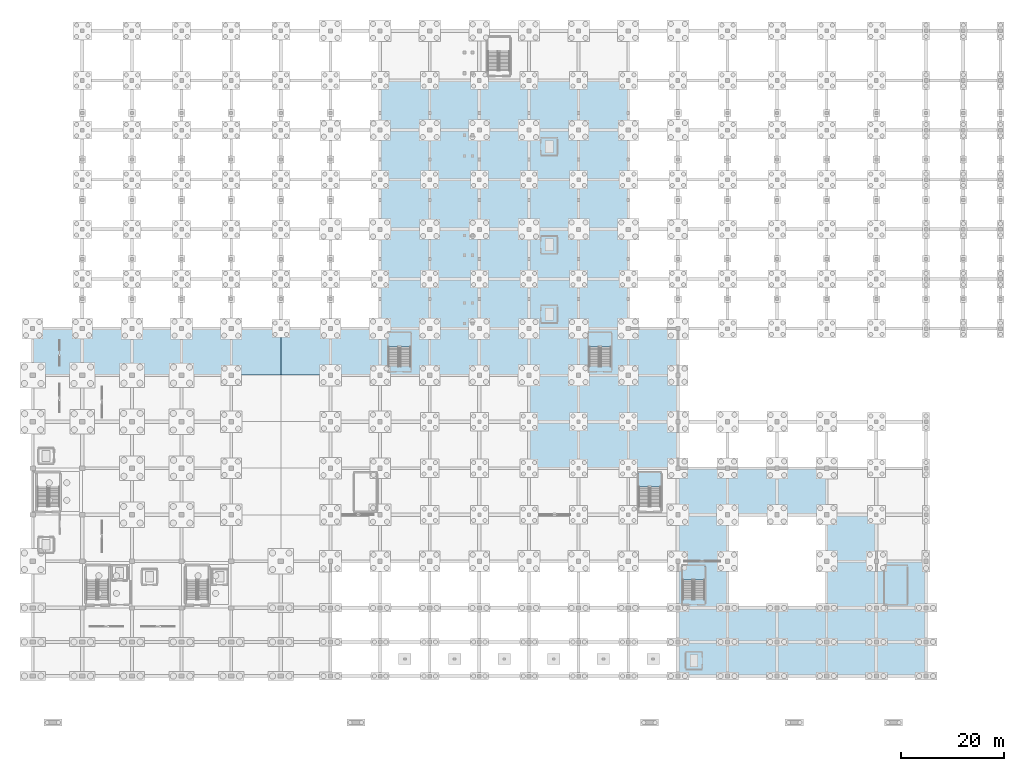
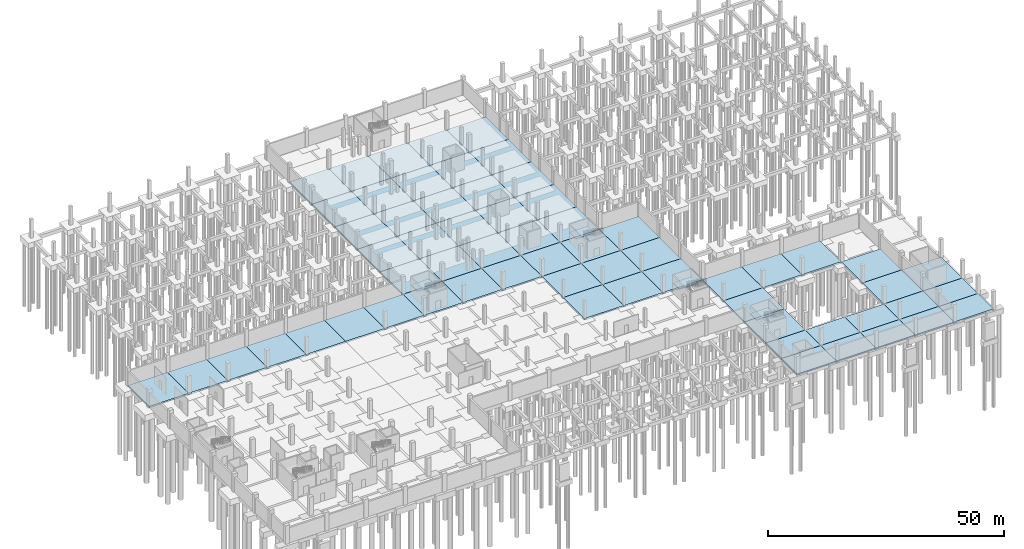
# One storey, part 23 of 39: 66 slabs, 4 elements without a shape of their own.
"""IFC4 building model written with IfcOpenShell, lengths in metres."""

from ifc_helpers import new_model, si_unit, direction, frame, origin, place, context, subcontext, project, spatial, polyline, outline, extrude, material, layer, layer_set, type_object, element, aggregate, save


model = new_model("IFC4")

# Units and contexts
model_context = context("Model", 3, precision=1e-05, world=origin(), true_north=direction((0.0, 1.0)))
body_context = subcontext(model_context, "Body", "Model", "MODEL_VIEW")
ifc_project = project(units=[si_unit("LENGTHUNIT", "METRE"), si_unit("AREAUNIT", "SQUARE_METRE"), si_unit("VOLUMEUNIT", "CUBIC_METRE"), si_unit("PLANEANGLEUNIT", "RADIAN"), si_unit("MASSUNIT", "GRAM", prefix="KILO")], contexts=[model_context])

# Site, building, storey
site_placement = place(None, origin())
site = spatial("IfcSite", under=ifc_project, at=site_placement, CompositionType="ELEMENT")
building_placement = place(site_placement, origin())
building = spatial("IfcBuilding", under=site, at=building_placement, Name="Zarnetskaya Central Station", CompositionType="ELEMENT")
storey_placement = place(building_placement, frame((0.0, 0.0, -4.800048828125)))
storey = spatial("IfcBuildingStorey", under=building, at=storey_placement, Name="B1", CompositionType="ELEMENT", Elevation=-4.800048828125)

# Slabs
ifc_material = material(Name="Concrete C30/37", Category="concrete")
ifc_layer_1 = layer(ifc_material, 0.39990234375, Name="Concrete C30/37", Category="concrete")
ifc_layer_set_1 = layer_set([ifc_layer_1], Name="Concrete C30/37")
slab_type_1 = type_object("IfcSlabType", Name="SLAB-B1-400", PredefinedType="BASESLAB", material=ifc_layer_set_1)
slab_1_placement = place(storey_placement, frame((0.0, 0.0, -0.39990234375)))
element("IfcSlab", 1, at=slab_1_placement, inside=storey, type_object=slab_type_1, Name="B1 slab A-B/8-9", PredefinedType="BASESLAB", context=body_context, shape_type="SweptSolid", body=[
    extrude(outline(polyline([(0.0, 58.199951171875), (9.60009765625, 58.199951171875), (9.60009765625, 67.199951171875), (0.0, 67.199951171875), (0.0, 58.199951171875)])), origin(), (0.0, 0.0, 1.0), 0.39990234375),
])
slab_2_placement = place(storey_placement, frame((0.0, 0.0, -0.39990234375)))
element("IfcSlab", 2, at=slab_2_placement, inside=storey, type_object=slab_type_1, Name="B1 slab B-C/8-9", PredefinedType="BASESLAB", context=body_context, shape_type="SweptSolid", body=[
    extrude(outline(polyline([(9.60009765625, 58.199951171875), (19.199951171875, 58.199951171875), (19.199951171875, 67.199951171875), (9.60009765625, 67.199951171875), (9.60009765625, 58.199951171875)])), origin(), (0.0, 0.0, 1.0), 0.39990234375),
])
slab_3_placement = place(storey_placement, frame((0.0, 0.0, -0.39990234375)))
element("IfcSlab", 3, at=slab_3_placement, inside=storey, type_object=slab_type_1, Name="B1 slab C-D/8-9", PredefinedType="BASESLAB", context=body_context, shape_type="SweptSolid", body=[
    extrude(outline(polyline([(19.199951171875, 58.199951171875), (28.800048828125, 58.199951171875), (28.800048828125, 67.199951171875), (19.199951171875, 67.199951171875), (19.199951171875, 58.199951171875)])), origin(), (0.0, 0.0, 1.0), 0.39990234375),
])
slab_4_placement = place(storey_placement, frame((0.0, 0.0, -0.39990234375)))
element("IfcSlab", 4, at=slab_4_placement, inside=storey, type_object=slab_type_1, Name="B1 slab D-E/8-9", PredefinedType="BASESLAB", context=body_context, shape_type="SweptSolid", body=[
    extrude(outline(polyline([(28.800048828125, 58.199951171875), (38.39990234375, 58.199951171875), (38.39990234375, 67.199951171875), (28.800048828125, 67.199951171875), (28.800048828125, 58.199951171875)])), origin(), (0.0, 0.0, 1.0), 0.39990234375),
])
slab_5_placement = place(storey_placement, frame((0.0, 0.0, -0.39990234375)))
element("IfcSlab", 5, at=slab_5_placement, inside=storey, type_object=slab_type_1, Name="B1 slab E-F/8-9", PredefinedType="BASESLAB", context=body_context, shape_type="SweptSolid", body=[
    extrude(outline(polyline([(38.39990234375, 58.199951171875), (48.0, 58.199951171875), (48.0, 67.199951171875), (38.39990234375, 67.199951171875), (38.39990234375, 58.199951171875)])), origin(), (0.0, 0.0, 1.0), 0.39990234375),
])
slab_6_placement = place(storey_placement, frame((0.0, 0.0, -0.39990234375)))
element("IfcSlab", 6, at=slab_6_placement, inside=storey, type_object=slab_type_1, Name="B1 slab F-G/8-9", PredefinedType="BASESLAB", context=body_context, shape_type="SweptSolid", body=[
    extrude(outline(polyline([(48.0, 58.199951171875), (57.60009765625, 58.199951171875), (57.60009765625, 67.199951171875), (48.0, 67.199951171875), (48.0, 58.199951171875)])), origin(), (0.0, 0.0, 1.0), 0.39990234375),
])
slab_7_placement = place(storey_placement, frame((0.0, 0.0, -0.39990234375)))
element("IfcSlab", 7, at=slab_7_placement, inside=storey, type_object=slab_type_1, Name="B1 slab G-H/8-9", PredefinedType="BASESLAB", context=body_context, shape_type="SweptSolid", body=[
    extrude(outline(polyline([(57.60009765625, 58.199951171875), (67.199951171875, 58.199951171875), (67.199951171875, 67.199951171875), (57.60009765625, 67.199951171875), (57.60009765625, 58.199951171875)])), origin(), (0.0, 0.0, 1.0), 0.39990234375),
])
slab_8_placement = place(storey_placement, frame((0.0, 0.0, -0.39990234375)))
element("IfcSlab", 8, at=slab_8_placement, inside=storey, type_object=slab_type_1, Name="B1 slab H-J/8-9", PredefinedType="BASESLAB", context=body_context, shape_type="SweptSolid", body=[
    extrude(outline(polyline([(67.199951171875, 58.199951171875), (76.800048828125, 58.199951171875), (76.800048828125, 67.199951171875), (67.199951171875, 67.199951171875), (67.199951171875, 58.199951171875)])), origin(), (0.0, 0.0, 1.0), 0.39990234375),
])
slab_9_placement = place(storey_placement, frame((0.0, 0.0, -0.39990234375)))
element("IfcSlab", 9, at=slab_9_placement, inside=storey, type_object=slab_type_1, Name="B1 slab J-K/8-9", PredefinedType="BASESLAB", context=body_context, shape_type="SweptSolid", body=[
    extrude(outline(polyline([(76.800048828125, 58.199951171875), (86.39990234375, 58.199951171875), (86.39990234375, 67.199951171875), (76.800048828125, 67.199951171875), (76.800048828125, 58.199951171875)])), origin(), (0.0, 0.0, 1.0), 0.39990234375),
])
slab_10_placement = place(storey_placement, frame((0.0, 0.0, -0.39990234375)))
element("IfcSlab", 10, at=slab_10_placement, inside=storey, type_object=slab_type_1, Name="B1 slab K-L/8-9", PredefinedType="BASESLAB", context=body_context, shape_type="SweptSolid", body=[
    extrude(outline(polyline([(86.39990234375, 58.199951171875), (96.0, 58.199951171875), (96.0, 67.199951171875), (86.39990234375, 67.199951171875), (86.39990234375, 58.199951171875)])), origin(), (0.0, 0.0, 1.0), 0.39990234375),
])
slab_11_placement = place(storey_placement, frame((0.0, 0.0, -0.39990234375)))
element("IfcSlab", 11, at=slab_11_placement, inside=storey, type_object=slab_type_1, Name="B1 slab L-M/6-7", PredefinedType="BASESLAB", context=body_context, shape_type="SweptSolid", body=[
    extrude(outline(polyline([(96.0, 40.199951171875), (105.60009765625, 40.199951171875), (105.60009765625, 49.199951171875), (96.0, 49.199951171875), (96.0, 40.199951171875)])), origin(), (0.0, 0.0, 1.0), 0.39990234375),
])
slab_12_placement = place(storey_placement, frame((0.0, 0.0, -0.39990234375)))
element("IfcSlab", 12, at=slab_12_placement, inside=storey, type_object=slab_type_1, Name="B1 slab L-M/7-8", PredefinedType="BASESLAB", context=body_context, shape_type="SweptSolid", body=[
    extrude(outline(polyline([(96.0, 49.199951171875), (105.60009765625, 49.199951171875), (105.60009765625, 58.199951171875), (96.0, 58.199951171875), (96.0, 49.199951171875)])), origin(), (0.0, 0.0, 1.0), 0.39990234375),
])
slab_13_placement = place(storey_placement, frame((0.0, 0.0, -0.39990234375)))
element("IfcSlab", 13, at=slab_13_placement, inside=storey, type_object=slab_type_1, Name="B1 slab L-M/8-9", PredefinedType="BASESLAB", context=body_context, shape_type="SweptSolid", body=[
    extrude(outline(polyline([(96.0, 58.199951171875), (105.60009765625, 58.199951171875), (105.60009765625, 67.199951171875), (96.0, 67.199951171875), (96.0, 58.199951171875)])), origin(), (0.0, 0.0, 1.0), 0.39990234375),
])
slab_14_placement = place(storey_placement, frame((0.0, 0.0, -0.39990234375)))
element("IfcSlab", 14, at=slab_14_placement, inside=storey, type_object=slab_type_1, Name="B1 slab M-N/6-7", PredefinedType="BASESLAB", context=body_context, shape_type="SweptSolid", body=[
    extrude(outline(polyline([(105.60009765625, 40.199951171875), (115.199951171875, 40.199951171875), (115.199951171875, 49.199951171875), (105.60009765625, 49.199951171875), (105.60009765625, 40.199951171875)])), origin(), (0.0, 0.0, 1.0), 0.39990234375),
])
slab_15_placement = place(storey_placement, frame((0.0, 0.0, -0.39990234375)))
element("IfcSlab", 15, at=slab_15_placement, inside=storey, type_object=slab_type_1, Name="B1 slab M-N/7-8", PredefinedType="BASESLAB", context=body_context, shape_type="SweptSolid", body=[
    extrude(outline(polyline([(105.60009765625, 49.199951171875), (115.199951171875, 49.199951171875), (115.199951171875, 58.199951171875), (105.60009765625, 58.199951171875), (105.60009765625, 49.199951171875)])), origin(), (0.0, 0.0, 1.0), 0.39990234375),
])
slab_16_placement = place(storey_placement, frame((0.0, 0.0, -0.39990234375)))
element("IfcSlab", 16, at=slab_16_placement, inside=storey, type_object=slab_type_1, Name="B1 slab M-N/8-9", PredefinedType="BASESLAB", context=body_context, shape_type="SweptSolid", body=[
    extrude(outline(polyline([(105.60009765625, 58.199951171875), (115.199951171875, 58.199951171875), (115.199951171875, 67.199951171875), (105.60009765625, 67.199951171875), (105.60009765625, 58.199951171875)])), origin(), (0.0, 0.0, 1.0), 0.39990234375),
])
slab_17_placement = place(storey_placement, frame((0.0, 0.0, -0.39990234375)))
element("IfcSlab", 17, at=slab_17_placement, inside=storey, type_object=slab_type_1, Name="B1 slab N-P/6-7", PredefinedType="BASESLAB", context=body_context, shape_type="SweptSolid", body=[
    extrude(outline(polyline([(115.199951171875, 40.199951171875), (124.800048828125, 40.199951171875), (124.800048828125, 49.199951171875), (115.199951171875, 49.199951171875), (115.199951171875, 40.199951171875)])), origin(), (0.0, 0.0, 1.0), 0.39990234375),
])
slab_18_placement = place(storey_placement, frame((0.0, 0.0, -0.39990234375)))
element("IfcSlab", 18, at=slab_18_placement, inside=storey, type_object=slab_type_1, Name="B1 slab N-P/7-8", PredefinedType="BASESLAB", context=body_context, shape_type="SweptSolid", body=[
    extrude(outline(polyline([(115.199951171875, 49.199951171875), (124.800048828125, 49.199951171875), (124.800048828125, 58.199951171875), (115.199951171875, 58.199951171875), (115.199951171875, 49.199951171875)])), origin(), (0.0, 0.0, 1.0), 0.39990234375),
])
slab_19_placement = place(storey_placement, frame((0.0, 0.0, -0.39990234375)))
element("IfcSlab", 19, at=slab_19_placement, inside=storey, type_object=slab_type_1, Name="B1 slab N-P/8-9", PredefinedType="BASESLAB", context=body_context, shape_type="SweptSolid", body=[
    extrude(outline(polyline([(115.199951171875, 58.199951171875), (124.800048828125, 58.199951171875), (124.800048828125, 67.199951171875), (115.199951171875, 67.199951171875), (115.199951171875, 58.199951171875)])), origin(), (0.0, 0.0, 1.0), 0.39990234375),
])
slab_20_placement = place(storey_placement, frame((0.0, 0.0, -0.39990234375)))
element("IfcSlab", 20, at=slab_20_placement, inside=storey, type_object=slab_type_1, Name="B1 slab H-J/9-10", PredefinedType="BASESLAB", context=body_context, shape_type="SweptSolid", body=[
    extrude(outline(polyline([(67.199951171875, 67.199951171875), (76.800048828125, 67.199951171875), (76.800048828125, 76.800048828125), (67.199951171875, 76.800048828125), (67.199951171875, 67.199951171875)])), origin(), (0.0, 0.0, 1.0), 0.39990234375),
])
slab_21_placement = place(storey_placement, frame((0.0, 0.0, -0.39990234375)))
element("IfcSlab", 21, at=slab_21_placement, inside=storey, type_object=slab_type_1, Name="B1 slab H-J/10-11", PredefinedType="BASESLAB", context=body_context, shape_type="SweptSolid", body=[
    extrude(outline(polyline([(67.199951171875, 76.800048828125), (76.800048828125, 76.800048828125), (76.800048828125, 86.39990234375), (67.199951171875, 86.39990234375), (67.199951171875, 76.800048828125)])), origin(), (0.0, 0.0, 1.0), 0.39990234375),
])
slab_22_placement = place(storey_placement, frame((0.0, 0.0, -0.39990234375)))
element("IfcSlab", 22, at=slab_22_placement, inside=storey, type_object=slab_type_1, Name="B1 slab H-J/11-12", PredefinedType="BASESLAB", context=body_context, shape_type="SweptSolid", body=[
    extrude(outline(polyline([(67.199951171875, 86.39990234375), (76.800048828125, 86.39990234375), (76.800048828125, 96.0), (67.199951171875, 96.0), (67.199951171875, 86.39990234375)])), origin(), (0.0, 0.0, 1.0), 0.39990234375),
])
slab_23_placement = place(storey_placement, frame((0.0, 0.0, -0.39990234375)))
element("IfcSlab", 23, at=slab_23_placement, inside=storey, type_object=slab_type_1, Name="B1 slab H-J/12-13", PredefinedType="BASESLAB", context=body_context, shape_type="SweptSolid", body=[
    extrude(outline(polyline([(67.199951171875, 96.0), (76.800048828125, 96.0), (76.800048828125, 105.60009765625), (67.199951171875, 105.60009765625), (67.199951171875, 96.0)])), origin(), (0.0, 0.0, 1.0), 0.39990234375),
])
slab_24_placement = place(storey_placement, frame((0.0, 0.0, -0.39990234375)))
element("IfcSlab", 24, at=slab_24_placement, inside=storey, type_object=slab_type_1, Name="B1 slab H-J/13-14", PredefinedType="BASESLAB", context=body_context, shape_type="SweptSolid", body=[
    extrude(outline(polyline([(67.199951171875, 105.60009765625), (76.800048828125, 105.60009765625), (76.800048828125, 115.199951171875), (67.199951171875, 115.199951171875), (67.199951171875, 105.60009765625)])), origin(), (0.0, 0.0, 1.0), 0.39990234375),
])
slab_25_placement = place(storey_placement, frame((0.0, 0.0, -0.39990234375)))
element("IfcSlab", 25, at=slab_25_placement, inside=storey, type_object=slab_type_1, Name="B1 slab J-K/9-10", PredefinedType="BASESLAB", context=body_context, shape_type="SweptSolid", body=[
    extrude(outline(polyline([(76.800048828125, 67.199951171875), (86.39990234375, 67.199951171875), (86.39990234375, 76.800048828125), (76.800048828125, 76.800048828125), (76.800048828125, 67.199951171875)])), origin(), (0.0, 0.0, 1.0), 0.39990234375),
])
slab_26_placement = place(storey_placement, frame((0.0, 0.0, -0.39990234375)))
element("IfcSlab", 26, at=slab_26_placement, inside=storey, type_object=slab_type_1, Name="B1 slab J-K/10-11", PredefinedType="BASESLAB", context=body_context, shape_type="SweptSolid", body=[
    extrude(outline(polyline([(76.800048828125, 76.800048828125), (86.39990234375, 76.800048828125), (86.39990234375, 86.39990234375), (76.800048828125, 86.39990234375), (76.800048828125, 76.800048828125)])), origin(), (0.0, 0.0, 1.0), 0.39990234375),
])
slab_27_placement = place(storey_placement, frame((0.0, 0.0, -0.39990234375)))
element("IfcSlab", 27, at=slab_27_placement, inside=storey, type_object=slab_type_1, Name="B1 slab J-K/11-12", PredefinedType="BASESLAB", context=body_context, shape_type="SweptSolid", body=[
    extrude(outline(polyline([(76.800048828125, 86.39990234375), (86.39990234375, 86.39990234375), (86.39990234375, 96.0), (76.800048828125, 96.0), (76.800048828125, 86.39990234375)])), origin(), (0.0, 0.0, 1.0), 0.39990234375),
])
slab_28_placement = place(storey_placement, frame((0.0, 0.0, -0.39990234375)))
element("IfcSlab", 28, at=slab_28_placement, inside=storey, type_object=slab_type_1, Name="B1 slab J-K/12-13", PredefinedType="BASESLAB", context=body_context, shape_type="SweptSolid", body=[
    extrude(outline(polyline([(76.800048828125, 96.0), (86.39990234375, 96.0), (86.39990234375, 105.60009765625), (76.800048828125, 105.60009765625), (76.800048828125, 96.0)])), origin(), (0.0, 0.0, 1.0), 0.39990234375),
])
slab_29_placement = place(storey_placement, frame((0.0, 0.0, -0.39990234375)))
element("IfcSlab", 29, at=slab_29_placement, inside=storey, type_object=slab_type_1, Name="B1 slab J-K/13-14", PredefinedType="BASESLAB", context=body_context, shape_type="SweptSolid", body=[
    extrude(outline(polyline([(76.800048828125, 105.60009765625), (86.39990234375, 105.60009765625), (86.39990234375, 115.199951171875), (76.800048828125, 115.199951171875), (76.800048828125, 105.60009765625)])), origin(), (0.0, 0.0, 1.0), 0.39990234375),
])
slab_30_placement = place(storey_placement, frame((0.0, 0.0, -0.39990234375)))
element("IfcSlab", 30, at=slab_30_placement, inside=storey, type_object=slab_type_1, Name="B1 slab K-L/9-10", PredefinedType="BASESLAB", context=body_context, shape_type="SweptSolid", body=[
    extrude(outline(polyline([(86.39990234375, 67.199951171875), (96.0, 67.199951171875), (96.0, 76.800048828125), (86.39990234375, 76.800048828125), (86.39990234375, 67.199951171875)])), origin(), (0.0, 0.0, 1.0), 0.39990234375),
])
slab_31_placement = place(storey_placement, frame((0.0, 0.0, -0.39990234375)))
element("IfcSlab", 31, at=slab_31_placement, inside=storey, type_object=slab_type_1, Name="B1 slab K-L/10-11", PredefinedType="BASESLAB", context=body_context, shape_type="SweptSolid", body=[
    extrude(outline(polyline([(86.39990234375, 76.800048828125), (96.0, 76.800048828125), (96.0, 86.39990234375), (86.39990234375, 86.39990234375), (86.39990234375, 76.800048828125)])), origin(), (0.0, 0.0, 1.0), 0.39990234375),
])
slab_32_placement = place(storey_placement, frame((0.0, 0.0, -0.39990234375)))
element("IfcSlab", 32, at=slab_32_placement, inside=storey, type_object=slab_type_1, Name="B1 slab K-L/11-12", PredefinedType="BASESLAB", context=body_context, shape_type="SweptSolid", body=[
    extrude(outline(polyline([(86.39990234375, 86.39990234375), (96.0, 86.39990234375), (96.0, 96.0), (86.39990234375, 96.0), (86.39990234375, 86.39990234375)])), origin(), (0.0, 0.0, 1.0), 0.39990234375),
])
slab_33_placement = place(storey_placement, frame((0.0, 0.0, -0.39990234375)))
element("IfcSlab", 33, at=slab_33_placement, inside=storey, type_object=slab_type_1, Name="B1 slab K-L/12-13", PredefinedType="BASESLAB", context=body_context, shape_type="SweptSolid", body=[
    extrude(outline(polyline([(86.39990234375, 96.0), (96.0, 96.0), (96.0, 105.60009765625), (86.39990234375, 105.60009765625), (86.39990234375, 96.0)])), origin(), (0.0, 0.0, 1.0), 0.39990234375),
])
slab_34_placement = place(storey_placement, frame((0.0, 0.0, -0.39990234375)))
element("IfcSlab", 34, at=slab_34_placement, inside=storey, type_object=slab_type_1, Name="B1 slab K-L/13-14", PredefinedType="BASESLAB", context=body_context, shape_type="SweptSolid", body=[
    extrude(outline(polyline([(86.39990234375, 105.60009765625), (96.0, 105.60009765625), (96.0, 115.199951171875), (86.39990234375, 115.199951171875), (86.39990234375, 105.60009765625)])), origin(), (0.0, 0.0, 1.0), 0.39990234375),
])
slab_35_placement = place(storey_placement, frame((0.0, 0.0, -0.39990234375)))
element("IfcSlab", 35, at=slab_35_placement, inside=storey, type_object=slab_type_1, Name="B1 slab L-M/9-10", PredefinedType="BASESLAB", context=body_context, shape_type="SweptSolid", body=[
    extrude(outline(polyline([(96.0, 67.199951171875), (105.60009765625, 67.199951171875), (105.60009765625, 76.800048828125), (96.0, 76.800048828125), (96.0, 67.199951171875)])), origin(), (0.0, 0.0, 1.0), 0.39990234375),
])
slab_36_placement = place(storey_placement, frame((0.0, 0.0, -0.39990234375)))
element("IfcSlab", 36, at=slab_36_placement, inside=storey, type_object=slab_type_1, Name="B1 slab L-M/10-11", PredefinedType="BASESLAB", context=body_context, shape_type="SweptSolid", body=[
    extrude(outline(polyline([(96.0, 76.800048828125), (105.60009765625, 76.800048828125), (105.60009765625, 86.39990234375), (96.0, 86.39990234375), (96.0, 76.800048828125)])), origin(), (0.0, 0.0, 1.0), 0.39990234375),
])
slab_37_placement = place(storey_placement, frame((0.0, 0.0, -0.39990234375)))
element("IfcSlab", 37, at=slab_37_placement, inside=storey, type_object=slab_type_1, Name="B1 slab L-M/11-12", PredefinedType="BASESLAB", context=body_context, shape_type="SweptSolid", body=[
    extrude(outline(polyline([(96.0, 86.39990234375), (105.60009765625, 86.39990234375), (105.60009765625, 96.0), (96.0, 96.0), (96.0, 86.39990234375)])), origin(), (0.0, 0.0, 1.0), 0.39990234375),
])
slab_38_placement = place(storey_placement, frame((0.0, 0.0, -0.39990234375)))
element("IfcSlab", 38, at=slab_38_placement, inside=storey, type_object=slab_type_1, Name="B1 slab L-M/12-13", PredefinedType="BASESLAB", context=body_context, shape_type="SweptSolid", body=[
    extrude(outline(polyline([(96.0, 96.0), (105.60009765625, 96.0), (105.60009765625, 105.60009765625), (96.0, 105.60009765625), (96.0, 96.0)])), origin(), (0.0, 0.0, 1.0), 0.39990234375),
])
slab_39_placement = place(storey_placement, frame((0.0, 0.0, -0.39990234375)))
element("IfcSlab", 39, at=slab_39_placement, inside=storey, type_object=slab_type_1, Name="B1 slab L-M/13-14", PredefinedType="BASESLAB", context=body_context, shape_type="SweptSolid", body=[
    extrude(outline(polyline([(96.0, 105.60009765625), (105.60009765625, 105.60009765625), (105.60009765625, 115.199951171875), (96.0, 115.199951171875), (96.0, 105.60009765625)])), origin(), (0.0, 0.0, 1.0), 0.39990234375),
])
slab_40_placement = place(storey_placement, frame((0.0, 0.0, -0.39990234375)))
element("IfcSlab", 40, at=slab_40_placement, inside=storey, type_object=slab_type_1, Name="B1 slab M-N/9-10", PredefinedType="BASESLAB", context=body_context, shape_type="SweptSolid", body=[
    extrude(outline(polyline([(105.60009765625, 67.199951171875), (115.199951171875, 67.199951171875), (115.199951171875, 76.800048828125), (105.60009765625, 76.800048828125), (105.60009765625, 67.199951171875)])), origin(), (0.0, 0.0, 1.0), 0.39990234375),
])
slab_41_placement = place(storey_placement, frame((0.0, 0.0, -0.39990234375)))
element("IfcSlab", 41, at=slab_41_placement, inside=storey, type_object=slab_type_1, Name="B1 slab M-N/10-11", PredefinedType="BASESLAB", context=body_context, shape_type="SweptSolid", body=[
    extrude(outline(polyline([(105.60009765625, 76.800048828125), (115.199951171875, 76.800048828125), (115.199951171875, 86.39990234375), (105.60009765625, 86.39990234375), (105.60009765625, 76.800048828125)])), origin(), (0.0, 0.0, 1.0), 0.39990234375),
])
slab_42_placement = place(storey_placement, frame((0.0, 0.0, -0.39990234375)))
element("IfcSlab", 42, at=slab_42_placement, inside=storey, type_object=slab_type_1, Name="B1 slab M-N/11-12", PredefinedType="BASESLAB", context=body_context, shape_type="SweptSolid", body=[
    extrude(outline(polyline([(105.60009765625, 86.39990234375), (115.199951171875, 86.39990234375), (115.199951171875, 96.0), (105.60009765625, 96.0), (105.60009765625, 86.39990234375)])), origin(), (0.0, 0.0, 1.0), 0.39990234375),
])
slab_43_placement = place(storey_placement, frame((0.0, 0.0, -0.39990234375)))
element("IfcSlab", 43, at=slab_43_placement, inside=storey, type_object=slab_type_1, Name="B1 slab M-N/12-13", PredefinedType="BASESLAB", context=body_context, shape_type="SweptSolid", body=[
    extrude(outline(polyline([(105.60009765625, 96.0), (115.199951171875, 96.0), (115.199951171875, 105.60009765625), (105.60009765625, 105.60009765625), (105.60009765625, 96.0)])), origin(), (0.0, 0.0, 1.0), 0.39990234375),
])
slab_44_placement = place(storey_placement, frame((0.0, 0.0, -0.39990234375)))
element("IfcSlab", 44, at=slab_44_placement, inside=storey, type_object=slab_type_1, Name="B1 slab M-N/13-14", PredefinedType="BASESLAB", context=body_context, shape_type="SweptSolid", body=[
    extrude(outline(polyline([(105.60009765625, 105.60009765625), (115.199951171875, 105.60009765625), (115.199951171875, 115.199951171875), (105.60009765625, 115.199951171875), (105.60009765625, 105.60009765625)])), origin(), (0.0, 0.0, 1.0), 0.39990234375),
])
slab_45_placement = place(storey_placement, frame((0.0, 0.0, -0.39990234375)))
element("IfcSlab", 45, at=slab_45_placement, inside=storey, type_object=slab_type_1, Name="B1 slab P-Q/1-2", PredefinedType="BASESLAB", context=body_context, shape_type="SweptSolid", body=[
    extrude(outline(polyline([(124.800048828125, 0.0), (134.39990234375, 0.0), (134.39990234375, 6.60009765625), (124.800048828125, 6.60009765625), (124.800048828125, 0.0)])), origin(), (0.0, 0.0, 1.0), 0.39990234375),
])
slab_46_placement = place(storey_placement, frame((0.0, 0.0, -0.39990234375)))
element("IfcSlab", 46, at=slab_46_placement, inside=storey, type_object=slab_type_1, Name="B1 slab P-Q/2-3", PredefinedType="BASESLAB", context=body_context, shape_type="SweptSolid", body=[
    extrude(outline(polyline([(124.800048828125, 6.60009765625), (134.39990234375, 6.60009765625), (134.39990234375, 13.199951171875), (124.800048828125, 13.199951171875), (124.800048828125, 6.60009765625)])), origin(), (0.0, 0.0, 1.0), 0.39990234375),
])
slab_47_placement = place(storey_placement, frame((0.0, 0.0, -0.39990234375)))
element("IfcSlab", 47, at=slab_47_placement, inside=storey, type_object=slab_type_1, Name="B1 slab P-Q/3-4", PredefinedType="BASESLAB", context=body_context, shape_type="SweptSolid", body=[
    extrude(outline(polyline([(124.800048828125, 13.199951171875), (134.39990234375, 13.199951171875), (134.39990234375, 22.199951171875), (124.800048828125, 22.199951171875), (124.800048828125, 13.199951171875)])), origin(), (0.0, 0.0, 1.0), 0.39990234375),
])
slab_48_placement = place(storey_placement, frame((0.0, 0.0, -0.39990234375)))
element("IfcSlab", 48, at=slab_48_placement, inside=storey, type_object=slab_type_1, Name="B1 slab P-Q/4-5", PredefinedType="BASESLAB", context=body_context, shape_type="SweptSolid", body=[
    extrude(outline(polyline([(124.800048828125, 22.199951171875), (134.39990234375, 22.199951171875), (134.39990234375, 31.199951171875), (124.800048828125, 31.199951171875), (124.800048828125, 22.199951171875)])), origin(), (0.0, 0.0, 1.0), 0.39990234375),
])
slab_49_placement = place(storey_placement, frame((0.0, 0.0, -0.39990234375)))
element("IfcSlab", 49, at=slab_49_placement, inside=storey, type_object=slab_type_1, Name="B1 slab P-Q/5-6", PredefinedType="BASESLAB", context=body_context, shape_type="SweptSolid", body=[
    extrude(outline(polyline([(124.800048828125, 31.199951171875), (134.39990234375, 31.199951171875), (134.39990234375, 40.199951171875), (124.800048828125, 40.199951171875), (124.800048828125, 31.199951171875)])), origin(), (0.0, 0.0, 1.0), 0.39990234375),
])
slab_50_placement = place(storey_placement, frame((0.0, 0.0, -0.39990234375)))
element("IfcSlab", 50, at=slab_50_placement, inside=storey, type_object=slab_type_1, Name="B1 slab Q-R/1-2", PredefinedType="BASESLAB", context=body_context, shape_type="SweptSolid", body=[
    extrude(outline(polyline([(134.39990234375, 0.0), (144.0, 0.0), (144.0, 6.60009765625), (134.39990234375, 6.60009765625), (134.39990234375, 0.0)])), origin(), (0.0, 0.0, 1.0), 0.39990234375),
])
slab_51_placement = place(storey_placement, frame((0.0, 0.0, -0.39990234375)))
element("IfcSlab", 51, at=slab_51_placement, inside=storey, type_object=slab_type_1, Name="B1 slab Q-R/2-3", PredefinedType="BASESLAB", context=body_context, shape_type="SweptSolid", body=[
    extrude(outline(polyline([(134.39990234375, 6.60009765625), (144.0, 6.60009765625), (144.0, 13.199951171875), (134.39990234375, 13.199951171875), (134.39990234375, 6.60009765625)])), origin(), (0.0, 0.0, 1.0), 0.39990234375),
])
slab_52_placement = place(storey_placement, frame((0.0, 0.0, -0.39990234375)))
element("IfcSlab", 52, at=slab_52_placement, inside=storey, type_object=slab_type_1, Name="B1 slab Q-R/5-6", PredefinedType="BASESLAB", context=body_context, shape_type="SweptSolid", body=[
    extrude(outline(polyline([(134.39990234375, 31.199951171875), (144.0, 31.199951171875), (144.0, 40.199951171875), (134.39990234375, 40.199951171875), (134.39990234375, 31.199951171875)])), origin(), (0.0, 0.0, 1.0), 0.39990234375),
])
slab_53_placement = place(storey_placement, frame((0.0, 0.0, -0.39990234375)))
element("IfcSlab", 53, at=slab_53_placement, inside=storey, type_object=slab_type_1, Name="B1 slab R-S/1-2", PredefinedType="BASESLAB", context=body_context, shape_type="SweptSolid", body=[
    extrude(outline(polyline([(144.0, 0.0), (153.60009765625, 0.0), (153.60009765625, 6.60009765625), (144.0, 6.60009765625), (144.0, 0.0)])), origin(), (0.0, 0.0, 1.0), 0.39990234375),
])
slab_54_placement = place(storey_placement, frame((0.0, 0.0, -0.39990234375)))
element("IfcSlab", 54, at=slab_54_placement, inside=storey, type_object=slab_type_1, Name="B1 slab R-S/2-3", PredefinedType="BASESLAB", context=body_context, shape_type="SweptSolid", body=[
    extrude(outline(polyline([(144.0, 6.60009765625), (153.60009765625, 6.60009765625), (153.60009765625, 13.199951171875), (144.0, 13.199951171875), (144.0, 6.60009765625)])), origin(), (0.0, 0.0, 1.0), 0.39990234375),
])
slab_55_placement = place(storey_placement, frame((0.0, 0.0, -0.39990234375)))
element("IfcSlab", 55, at=slab_55_placement, inside=storey, type_object=slab_type_1, Name="B1 slab R-S/5-6", PredefinedType="BASESLAB", context=body_context, shape_type="SweptSolid", body=[
    extrude(outline(polyline([(144.0, 31.199951171875), (153.60009765625, 31.199951171875), (153.60009765625, 40.199951171875), (144.0, 40.199951171875), (144.0, 31.199951171875)])), origin(), (0.0, 0.0, 1.0), 0.39990234375),
])
slab_56_placement = place(storey_placement, frame((0.0, 0.0, -0.39990234375)))
element("IfcSlab", 56, at=slab_56_placement, inside=storey, type_object=slab_type_1, Name="B1 slab S-T/1-2", PredefinedType="BASESLAB", context=body_context, shape_type="SweptSolid", body=[
    extrude(outline(polyline([(153.60009765625, 0.0), (163.199951171875, 0.0), (163.199951171875, 6.60009765625), (153.60009765625, 6.60009765625), (153.60009765625, 0.0)])), origin(), (0.0, 0.0, 1.0), 0.39990234375),
])
slab_57_placement = place(storey_placement, frame((0.0, 0.0, -0.39990234375)))
element("IfcSlab", 57, at=slab_57_placement, inside=storey, type_object=slab_type_1, Name="B1 slab S-T/2-3", PredefinedType="BASESLAB", context=body_context, shape_type="SweptSolid", body=[
    extrude(outline(polyline([(153.60009765625, 6.60009765625), (163.199951171875, 6.60009765625), (163.199951171875, 13.199951171875), (153.60009765625, 13.199951171875), (153.60009765625, 6.60009765625)])), origin(), (0.0, 0.0, 1.0), 0.39990234375),
])
slab_58_placement = place(storey_placement, frame((0.0, 0.0, -0.39990234375)))
element("IfcSlab", 58, at=slab_58_placement, inside=storey, type_object=slab_type_1, Name="B1 slab S-T/3-4", PredefinedType="BASESLAB", context=body_context, shape_type="SweptSolid", body=[
    extrude(outline(polyline([(153.60009765625, 13.199951171875), (163.199951171875, 13.199951171875), (163.199951171875, 22.199951171875), (153.60009765625, 22.199951171875), (153.60009765625, 13.199951171875)])), origin(), (0.0, 0.0, 1.0), 0.39990234375),
])
slab_59_placement = place(storey_placement, frame((0.0, 0.0, -0.39990234375)))
element("IfcSlab", 59, at=slab_59_placement, inside=storey, type_object=slab_type_1, Name="B1 slab S-T/4-5", PredefinedType="BASESLAB", context=body_context, shape_type="SweptSolid", body=[
    extrude(outline(polyline([(153.60009765625, 22.199951171875), (163.199951171875, 22.199951171875), (163.199951171875, 31.199951171875), (153.60009765625, 31.199951171875), (153.60009765625, 22.199951171875)])), origin(), (0.0, 0.0, 1.0), 0.39990234375),
])
slab_60_placement = place(storey_placement, frame((0.0, 0.0, -0.39990234375)))
element("IfcSlab", 60, at=slab_60_placement, inside=storey, type_object=slab_type_1, Name="B1 slab T-U/1-2", PredefinedType="BASESLAB", context=body_context, shape_type="SweptSolid", body=[
    extrude(outline(polyline([(163.199951171875, 0.0), (172.800048828125, 0.0), (172.800048828125, 6.60009765625), (163.199951171875, 6.60009765625), (163.199951171875, 0.0)])), origin(), (0.0, 0.0, 1.0), 0.39990234375),
])
slab_61_placement = place(storey_placement, frame((0.0, 0.0, -0.39990234375)))
element("IfcSlab", 61, at=slab_61_placement, inside=storey, type_object=slab_type_1, Name="B1 slab T-U/2-3", PredefinedType="BASESLAB", context=body_context, shape_type="SweptSolid", body=[
    extrude(outline(polyline([(163.199951171875, 6.60009765625), (172.800048828125, 6.60009765625), (172.800048828125, 13.199951171875), (163.199951171875, 13.199951171875), (163.199951171875, 6.60009765625)])), origin(), (0.0, 0.0, 1.0), 0.39990234375),
])
slab_62_placement = place(storey_placement, frame((0.0, 0.0, -0.39990234375)))
element("IfcSlab", 62, at=slab_62_placement, inside=storey, type_object=slab_type_1, Name="B1 slab T-U/3-4", PredefinedType="BASESLAB", context=body_context, shape_type="SweptSolid", body=[
    extrude(outline(polyline([(163.199951171875, 13.199951171875), (172.800048828125, 13.199951171875), (172.800048828125, 22.199951171875), (163.199951171875, 22.199951171875), (163.199951171875, 13.199951171875)])), origin(), (0.0, 0.0, 1.0), 0.39990234375),
])

# Stair, slab
stair_type_1 = type_object("IfcStairType", Name="STAIR-ASSY-05", PredefinedType="HALF_TURN_STAIR", material=ifc_material)
stair_1_placement = place(storey_placement, origin())
stair_1 = element("IfcStair", 63, at=stair_1_placement, inside=storey, type_object=stair_type_1, Name="Exit Stair ST-V1 B1", PredefinedType="HALF_TURN_STAIR")
ifc_layer_2 = layer(ifc_material, 0.18505859375, Name="Concrete C30/37", Category="concrete")
ifc_layer_set_2 = layer_set([ifc_layer_2], Name="Concrete C30/37")
slab_type_2 = type_object("IfcSlabType", Name="SLAB-STAIR-LND", PredefinedType="LANDING", material=ifc_layer_set_2)
slab_63_placement = place(storey_placement, frame((0.0, 0.0, 2.215087890625)))
slab_63 = element("IfcSlab", 64, at=slab_63_placement, type_object=slab_type_2, Name="ST-06 landing 1", PredefinedType="LANDING", context=body_context, shape_type="SweptSolid", body=[
    extrude(outline(polyline([(125.6201171875, 18.574951171875), (130.080078125, 18.574951171875), (130.080078125, 21.3798828125), (125.6201171875, 21.3798828125), (125.6201171875, 18.574951171875)])), origin(), (0.0, 0.0, 1.0), 0.18505859375),
])
aggregate(stair_1, [slab_63])

stair_type_2 = type_object("IfcStairType", Name="STAIR-ASSY-06", PredefinedType="HALF_TURN_STAIR", material=ifc_material)
stair_2_placement = place(storey_placement, origin())
stair_2 = element("IfcStair", 65, at=stair_2_placement, inside=storey, type_object=stair_type_2, Name="Exit Stair ST-U1 B1", PredefinedType="HALF_TURN_STAIR")
slab_64_placement = place(storey_placement, frame((0.0, 0.0, 2.215087890625)))
slab_64 = element("IfcSlab", 66, at=slab_64_placement, type_object=slab_type_2, Name="ST-01 landing 1", PredefinedType="LANDING", context=body_context, shape_type="SweptSolid", body=[
    extrude(outline(polyline([(68.719970703125, 63.675048828125), (73.179931640625, 63.675048828125), (73.179931640625, 66.47998046875), (68.719970703125, 66.47998046875), (68.719970703125, 63.675048828125)])), origin(), (0.0, 0.0, 1.0), 0.18505859375),
])
aggregate(stair_2, [slab_64])

stair_type_3 = type_object("IfcStairType", Name="STAIR-ASSY-07", PredefinedType="HALF_TURN_STAIR", material=ifc_material)
stair_3_placement = place(storey_placement, origin())
stair_3 = element("IfcStair", 67, at=stair_3_placement, inside=storey, type_object=stair_type_3, Name="Exit Stair ST-U2 B1", PredefinedType="HALF_TURN_STAIR")
slab_65_placement = place(storey_placement, frame((0.0, 0.0, 2.215087890625)))
slab_65 = element("IfcSlab", 68, at=slab_65_placement, type_object=slab_type_2, Name="ST-02 landing 1", PredefinedType="LANDING", context=body_context, shape_type="SweptSolid", body=[
    extrude(outline(polyline([(107.52001953125, 63.675048828125), (111.97998046875, 63.675048828125), (111.97998046875, 66.47998046875), (107.52001953125, 66.47998046875), (107.52001953125, 63.675048828125)])), origin(), (0.0, 0.0, 1.0), 0.18505859375),
])
aggregate(stair_3, [slab_65])

stair_type_4 = type_object("IfcStairType", Name="STAIR-ASSY-09", PredefinedType="HALF_TURN_STAIR", material=ifc_material)
stair_4_placement = place(storey_placement, origin())
stair_4 = element("IfcStair", 69, at=stair_4_placement, inside=storey, type_object=stair_type_4, Name="Exit Stair ST-E1 B1", PredefinedType="HALF_TURN_STAIR")
slab_66_placement = place(storey_placement, frame((0.0, 0.0, 2.215087890625)))
slab_66 = element("IfcSlab", 70, at=slab_66_placement, type_object=slab_type_2, Name="ST-09 landing 1", PredefinedType="LANDING", context=body_context, shape_type="SweptSolid", body=[
    extrude(outline(polyline([(117.1201171875, 36.574951171875), (121.580078125, 36.574951171875), (121.580078125, 39.3798828125), (117.1201171875, 39.3798828125), (117.1201171875, 36.574951171875)])), origin(), (0.0, 0.0, 1.0), 0.18505859375),
])
aggregate(stair_4, [slab_66])

save(model, "model.ifc")
